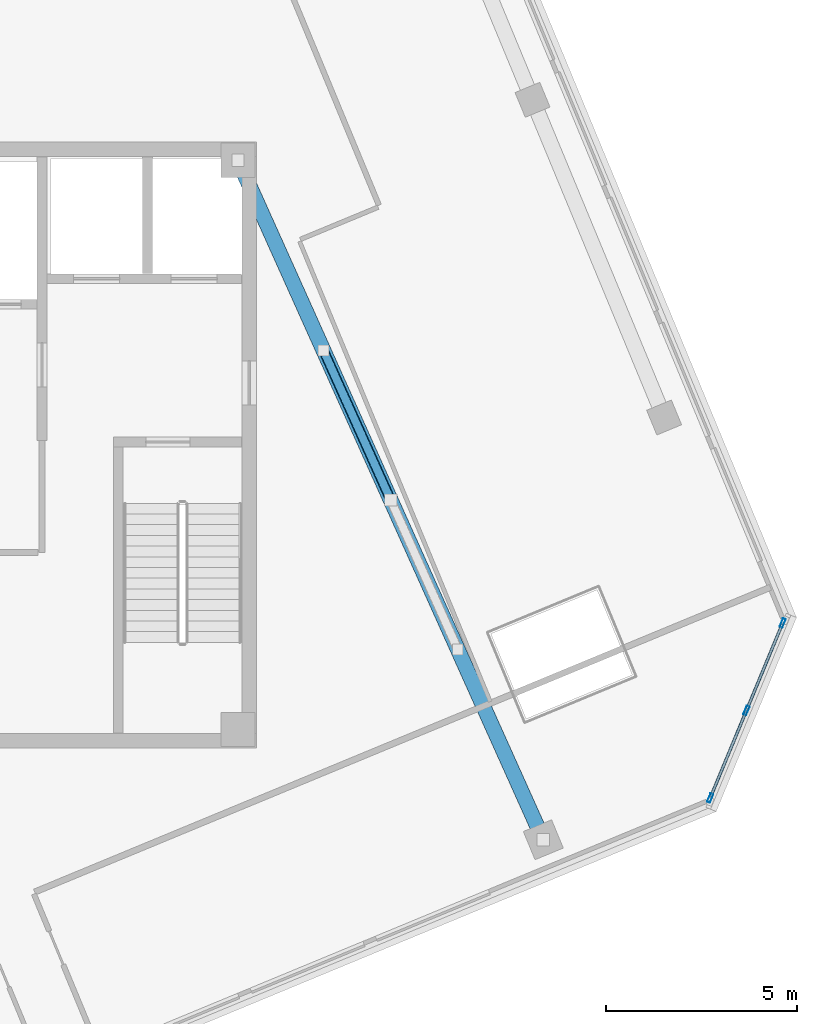
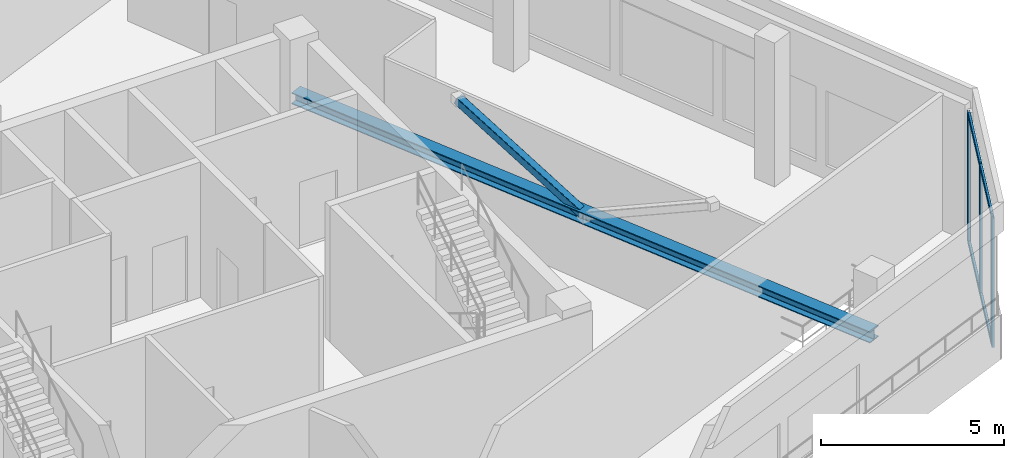
# One storey, part 5 of 17: 9 members, 1 element without a shape of its own.
"""IFC4 building model written with IfcOpenShell, lengths in metres."""

from ifc_helpers import new_model, si_unit, direction, frame, origin, origin_2d, place, context, subcontext, project, spatial, hollow_rectangle, i_section, extrude, source, transform, mapped, material, material_profile, profile_set, type_object, element, aggregate, save


model = new_model("IFC4")

# Units and contexts
model_context = context("Model", 3, precision=1e-05, world=origin(), true_north=direction((0.0, 1.0)))
body_context = subcontext(model_context, "Body", "Model", "MODEL_VIEW")
ifc_project = project(units=[si_unit("LENGTHUNIT", "METRE"), si_unit("AREAUNIT", "SQUARE_METRE"), si_unit("VOLUMEUNIT", "CUBIC_METRE"), si_unit("PLANEANGLEUNIT", "RADIAN"), si_unit("MASSUNIT", "GRAM", prefix="KILO")], contexts=[model_context])

# Site, building, storey
site_placement = place(None, origin())
site = spatial("IfcSite", under=ifc_project, at=site_placement, CompositionType="ELEMENT")
building_placement = place(site_placement, origin())
building = spatial("IfcBuilding", under=site, at=building_placement, Name="Torre Montelarca", CompositionType="ELEMENT")
storey_placement = place(building_placement, frame((0.0, 0.0, 355.199951171875)))
storey = spatial("IfcBuildingStorey", under=building, at=storey_placement, Name="L80", CompositionType="ELEMENT", Elevation=355.199951171875)

# Members
ifc_material_1 = material(Name="Steel ASTM A992 Grade 50", Category="steel")
ifc_material_profile_1 = material_profile(ifc_material_1, i_section(OverallWidth=0.39501953125, OverallDepth=0.3798828125, WebThickness=0.018798828125, FlangeThickness=0.0302734375, FilletRadius=0.014892578125, at=origin_2d()), Name="W360X237", Category="steel")
ifc_profile_set_1 = profile_set([ifc_material_profile_1], Name="Steel ASTM A992 Grade 50")
member_type_1 = type_object("IfcMemberType", Name="MB-CH-W360X237", PredefinedType="CHORD", material=ifc_profile_set_1)
shared_shape_1 = source(origin(), body_context, "Body", "SweptSolid", [
    extrude(i_section(OverallWidth=0.39501953125, OverallDepth=0.3798828125, WebThickness=0.018798828125, FlangeThickness=0.0302734375, FilletRadius=0.014892578125, at=origin_2d()), origin(), (0.0, 0.0, 1.0), 19.4970703125),
])
member_1_placement = place(storey_placement, frame((26.449951171875, 39.449951171875, 2.550048828125), z_axis=(0.409805408511, -0.912172969976, 0.0), x_axis=(0.912172969976, 0.409805408511, 0.0)))
element("IfcMember", 1, at=member_1_placement, inside=storey, type_object=member_type_1, Name="L80 Tuned Mass Damper TMD-01 Cradle Chord", PredefinedType="CHORD", context=body_context, shape_type="MappedRepresentation", body=[
    mapped(shared_shape_1, transform((0.0, 0.0, 0.0), scale=1.0)),
])
ifc_material_2 = material(Name="Steel ASTM A500 Grade C", Category="steel")
ifc_material_profile_2 = material_profile(ifc_material_2, hollow_rectangle(XDim=0.25390625, YDim=0.25390625, WallThickness=0.015869140625, InnerFilletRadius=0.015869140625, OuterFilletRadius=0.03173828125, at=origin_2d()), Name="HSS254X254X15.9", Category="steel")
ifc_profile_set_2 = profile_set([ifc_material_profile_2], Name="Steel ASTM A500 Grade C")
member_type_2 = type_object("IfcMemberType", Name="MB-ST-HSS254", PredefinedType="STRUT", material=ifc_profile_set_2)
shared_shape_2 = source(origin(), body_context, "Body", "SweptSolid", [
    extrude(hollow_rectangle(XDim=0.25390625, YDim=0.25390625, WallThickness=0.015869140625, InnerFilletRadius=0.015869140625, OuterFilletRadius=0.03173828125, at=origin_2d()), origin(), (0.0, 0.0, 1.0), 4.7802734375),
])
member_2_placement = place(storey_placement, frame((28.687255859375, 34.47021484375, 4.66015625), z_axis=(0.367679088681, -0.818506052953, -0.441429415679), x_axis=(0.912191822555, 0.409763442567, 0.0)))
element("IfcMember", 2, at=member_2_placement, inside=storey, type_object=member_type_2, Name="L80 Tuned Mass Damper TMD-01 Pendulum Hanger 1", PredefinedType="STRUT", context=body_context, shape_type="MappedRepresentation", body=[
    mapped(shared_shape_2, transform((0.0, 0.0, 0.0), scale=1.0)),
])

# Curtain wall, members
ifc_material_3 = material(Name="Amber translucent laminated glass", Category="glass")
curtain_wall_type = type_object("IfcCurtainWallType", Name="CW-SYS-LANT", PredefinedType="USERDEFINED", material=ifc_material_3)
curtain_wall_placement = place(storey_placement, origin())
curtain_wall = element("IfcCurtainWall", 3, at=curtain_wall_placement, inside=storey, type_object=curtain_wall_type, Name="L80 Curtain Wall Run CW-T3-L80-E07-B1", ObjectType="TRANSLUCENT LANTERN", PredefinedType="USERDEFINED")
ifc_material_4 = material(Name="Anodised aluminium AA 6063-T6", Category="aluminium")
ifc_material_profile_3 = material_profile(ifc_material_4, hollow_rectangle(XDim=0.074951171875, YDim=0.159912109375, WallThickness=0.0048828125, InnerFilletRadius=0.0048828125, OuterFilletRadius=0.010009765625, at=origin_2d()), Name="ALU75X160X5", Category="aluminium")
ifc_profile_set_3 = profile_set([ifc_material_profile_3], Name="Anodised aluminium AA 6063-T6")
member_type_3 = type_object("IfcMemberType", Name="CWT-ALU160", PredefinedType="USERDEFINED", material=ifc_profile_set_3)
shared_shape_3 = source(origin(), body_context, "Body", "SweptSolid", [
    extrude(hollow_rectangle(XDim=0.074951171875, YDim=0.159912109375, WallThickness=0.0048828125, InnerFilletRadius=0.0048828125, OuterFilletRadius=0.010009765625, at=origin_2d()), origin(), (0.0, 0.0, 1.0), 2.40087890625),
])
member_3_placement = place(storey_placement, frame((38.823486328125, 22.79443359375, 0.03759765625), z_axis=(0.382636179588, 0.923899103837, 0.0), x_axis=(-0.923899103837, 0.382636179588, 0.0)))
member_3 = element("IfcMember", 4, at=member_3_placement, type_object=member_type_3, Name="CW transom 1.1", ObjectType="TRANSOM", PredefinedType="USERDEFINED", context=body_context, shape_type="MappedRepresentation", body=[
    mapped(shared_shape_3, transform((0.0, 0.0, 0.0), scale=1.0)),
])
member_4_placement = place(storey_placement, frame((38.823486328125, 22.79443359375, 4.282470703125), z_axis=(0.382636179588, 0.923899103837, 0.0), x_axis=(-0.923899103837, 0.382636179588, 0.0)))
member_4 = element("IfcMember", 5, at=member_4_placement, type_object=member_type_3, Name="CW transom 1.2", ObjectType="TRANSOM", PredefinedType="USERDEFINED", context=body_context, shape_type="MappedRepresentation", body=[
    mapped(shared_shape_3, transform((0.0, 0.0, 0.0), scale=1.0)),
])
shared_shape_4 = source(origin(), body_context, "Body", "SweptSolid", [
    extrude(hollow_rectangle(XDim=0.074951171875, YDim=0.159912109375, WallThickness=0.0048828125, InnerFilletRadius=0.0048828125, OuterFilletRadius=0.010009765625, at=origin_2d()), origin(), (0.0, 0.0, 1.0), 2.4013671875),
])
member_5_placement = place(storey_placement, frame((39.77294921875, 25.086669921875, 0.03759765625), z_axis=(0.382687021514, 0.923878045829, 0.0), x_axis=(-0.923878045829, 0.382687021514, 0.0)))
member_5 = element("IfcMember", 6, at=member_5_placement, type_object=member_type_3, Name="CW transom 2.1", ObjectType="TRANSOM", PredefinedType="USERDEFINED", context=body_context, shape_type="MappedRepresentation", body=[
    mapped(shared_shape_4, transform((0.0, 0.0, 0.0), scale=1.0)),
])
member_6_placement = place(storey_placement, frame((39.77294921875, 25.086669921875, 4.282470703125), z_axis=(0.382687021514, 0.923878045829, 0.0), x_axis=(-0.923878045829, 0.382687021514, 0.0)))
member_6 = element("IfcMember", 7, at=member_6_placement, type_object=member_type_3, Name="CW transom 2.2", ObjectType="TRANSOM", PredefinedType="USERDEFINED", context=body_context, shape_type="MappedRepresentation", body=[
    mapped(shared_shape_4, transform((0.0, 0.0, 0.0), scale=1.0)),
])
ifc_material_profile_4 = material_profile(ifc_material_4, hollow_rectangle(XDim=0.080078125, YDim=0.239990234375, WallThickness=0.0048828125, InnerFilletRadius=0.0048828125, OuterFilletRadius=0.010009765625, at=origin_2d()), Name="ALU80X240X5", Category="aluminium")
ifc_profile_set_4 = profile_set([ifc_material_profile_4], Name="Anodised aluminium AA 6063-T6")
member_type_4 = type_object("IfcMemberType", Name="CWM-ALU240", PredefinedType="MULLION", material=ifc_profile_set_4)
shared_shape_5 = source(origin(), body_context, "Body", "SweptSolid", [
    extrude(hollow_rectangle(XDim=0.080078125, YDim=0.239990234375, WallThickness=0.0048828125, InnerFilletRadius=0.0048828125, OuterFilletRadius=0.010009765625, at=origin_2d()), origin(), (0.0, 0.0, 1.0), 4.320068359375),
])
member_7_placement = place(storey_placement, frame((38.80810546875, 22.757568359375, 0.0), z_axis=(0.0, 0.0, 1.0), x_axis=(-0.923880505758, 0.382681082731, 0.0)))
member_7 = element("IfcMember", 8, at=member_7_placement, type_object=member_type_4, Name="CW mullion 1", PredefinedType="MULLION", context=body_context, shape_type="MappedRepresentation", body=[
    mapped(shared_shape_5, transform((0.0, 0.0, 0.0), scale=1.0)),
])
member_8_placement = place(storey_placement, frame((39.757568359375, 25.0498046875, 0.0), z_axis=(0.0, 0.0, 1.0), x_axis=(-0.923880505758, 0.382681082731, 0.0)))
member_8 = element("IfcMember", 9, at=member_8_placement, type_object=member_type_4, Name="CW mullion 2", PredefinedType="MULLION", context=body_context, shape_type="MappedRepresentation", body=[
    mapped(shared_shape_5, transform((0.0, 0.0, 0.0), scale=1.0)),
])
member_9_placement = place(storey_placement, frame((40.70703125, 27.342041015625, 0.0), z_axis=(0.0, 0.0, 1.0), x_axis=(-0.923880505758, 0.382681082731, 0.0)))
member_9 = element("IfcMember", 10, at=member_9_placement, type_object=member_type_4, Name="CW mullion 3", PredefinedType="MULLION", context=body_context, shape_type="MappedRepresentation", body=[
    mapped(shared_shape_5, transform((0.0, 0.0, 0.0), scale=1.0)),
])
aggregate(curtain_wall, [member_7, member_8, member_9, member_3, member_4, member_5, member_6])

save(model, "model.ifc")
